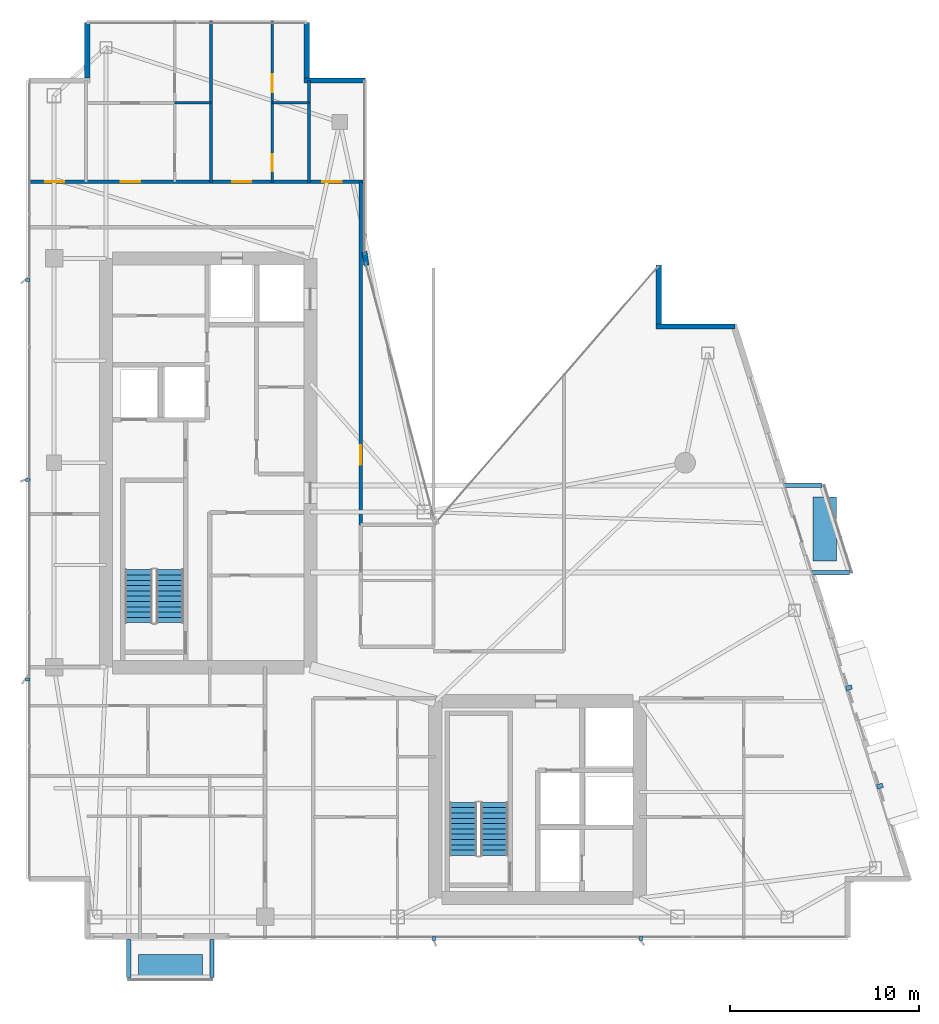
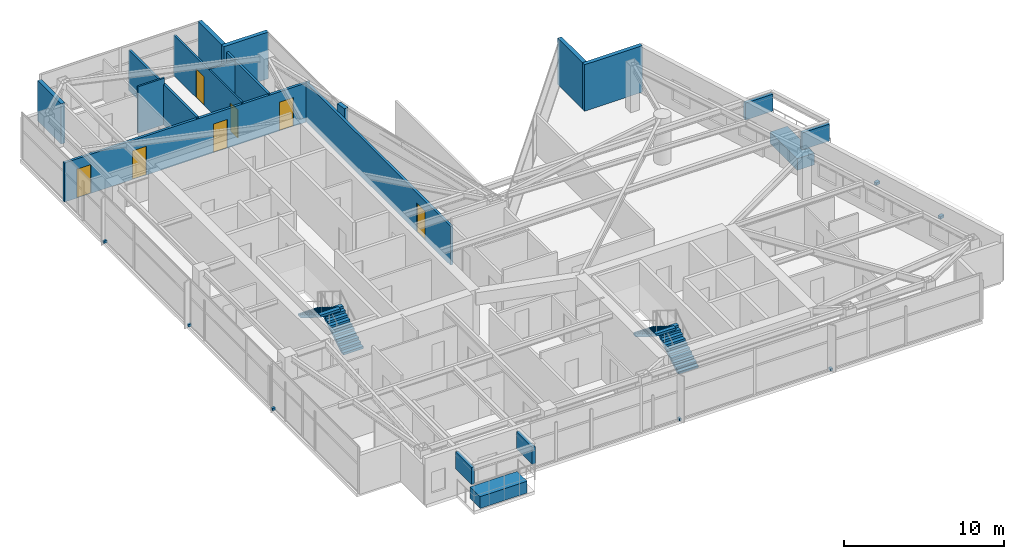
# One storey, part 27 of 29: 13 discrete accessories, 13 walls, 7 doors, 4 stair flights, 7 openings, 2 elements without a shape of their own.
"""IFC4 building model written with IfcOpenShell, lengths in metres."""

from ifc_helpers import new_model, si_unit, direction, frame, frame_2d, origin, origin_2d, place, context, subcontext, project, spatial, polyline, rectangle, outline, extrude, material, layer, layer_set, type_object, element, fill, aggregate, save


model = new_model("IFC4")

# Units and contexts
model_context = context("Model", 3, precision=1e-05, world=origin(), true_north=direction((0.0, 1.0)))
body_context = subcontext(model_context, "Body", "Model", "MODEL_VIEW")
ifc_project = project(units=[si_unit("LENGTHUNIT", "METRE"), si_unit("AREAUNIT", "SQUARE_METRE"), si_unit("VOLUMEUNIT", "CUBIC_METRE"), si_unit("PLANEANGLEUNIT", "RADIAN"), si_unit("MASSUNIT", "GRAM", prefix="KILO")], contexts=[model_context])

# Site, building, storey
site_placement = place(None, origin())
site = spatial("IfcSite", under=ifc_project, at=site_placement, CompositionType="ELEMENT")
building_placement = place(site_placement, origin())
building = spatial("IfcBuilding", under=site, at=building_placement, Name="Calvorn Quay Hotel", CompositionType="ELEMENT")
storey_placement = place(building_placement, frame((0.0, 0.0, 255.199951171875)))
storey = spatial("IfcBuildingStorey", under=building, at=storey_placement, Name="L63", CompositionType="ELEMENT", Elevation=255.199951171875)

# Wall, openings, doors
ifc_material_1 = material(Name="Acoustic Fireboard Steel-Stud Partition", Category="steel")
ifc_layer_1 = layer(ifc_material_1, 0.179931640625)
ifc_layer_set_1 = layer_set([ifc_layer_1], Name="WL-CORR-FIRE-180")
wall_type_1 = type_object("IfcWallType", Name="WL-CORR-FIRE-180", PredefinedType="PARTITIONING", material=ifc_layer_set_1)
wall_1_placement = place(storey_placement, frame((0.080078125, 42.449951171875, 0.0), z_axis=(0.0, 0.0, 1.0), x_axis=(1.0, 0.0, 0.0)))
wall_1 = element("IfcWall", 1, at=wall_1_placement, inside=storey, type_object=wall_type_1, Name="Partition Wall L63-WL-CORR-NW-N", PredefinedType="PARTITIONING", context=body_context, shape_type="SweptSolid", body=[
    extrude(rectangle(XDim=17.77001953125, YDim=0.179931640625, at=frame_2d((8.885009765625, 0.0))), origin(), (0.0, 0.0, 1.0), 2.989990234375),
])
opening_1_placement = place(wall_1_placement, frame((0.89990234375, 0.0, 0.0)))
opening_1 = element("IfcOpeningElement", 2, at=opening_1_placement, cuts=wall_1, Name="Opening D-L63-NWW", PredefinedType="OPENING", context=body_context, shape_type="SweptSolid", body=[
    extrude(rectangle(XDim=1.02001953125, YDim=2.199951171875, at=frame_2d((0.510009765625, 1.10009765625))), frame((0.0, 0.099853515625, 0.0), z_axis=(0.0, -1.0, 0.0), x_axis=(1.0, 0.0, 0.0)), (0.0, 0.0, 1.0), 0.199951171875),
])
opening_2_placement = place(wall_1_placement, frame((4.89990234375, 0.0, 0.0)))
opening_2 = element("IfcOpeningElement", 3, at=opening_2_placement, cuts=wall_1, Name="Opening D-L63-U04", PredefinedType="OPENING", context=body_context, shape_type="SweptSolid", body=[
    extrude(rectangle(XDim=1.02001953125, YDim=2.199951171875, at=frame_2d((0.510009765625, 1.10009765625))), frame((0.0, 0.099853515625, 0.0), z_axis=(0.0, -1.0, 0.0), x_axis=(1.0, 0.0, 0.0)), (0.0, 0.0, 1.0), 0.199951171875),
])
opening_3_placement = place(wall_1_placement, frame((10.780029296875, 0.0, 0.0)))
opening_3 = element("IfcOpeningElement", 4, at=opening_3_placement, cuts=wall_1, Name="Opening D-L63-U05", PredefinedType="OPENING", context=body_context, shape_type="SweptSolid", body=[
    extrude(rectangle(XDim=1.02001953125, YDim=2.199951171875, at=frame_2d((0.510009765625, 1.10009765625))), frame((0.0, 0.099853515625, 0.0), z_axis=(0.0, -1.0, 0.0), x_axis=(1.0, 0.0, 0.0)), (0.0, 0.0, 1.0), 0.199951171875),
])
opening_4_placement = place(wall_1_placement, frame((15.550048828125, 0.0, 0.0)))
opening_4 = element("IfcOpeningElement", 5, at=opening_4_placement, cuts=wall_1, Name="Opening D-L63-NWE", PredefinedType="OPENING", context=body_context, shape_type="SweptSolid", body=[
    extrude(rectangle(XDim=1.02001953125, YDim=2.199951171875, at=frame_2d((0.510009765625, 1.10009765625))), frame((0.0, 0.099853515625, 0.0), z_axis=(0.0, -1.0, 0.0), x_axis=(1.0, 0.0, 0.0)), (0.0, 0.0, 1.0), 0.199951171875),
])
ifc_material_2 = material(Name="Solid-Core Walnut Veneer Hotel Fire Door")
door_type_1 = type_object("IfcDoorType", Name="DR-GUEST-ENTRY-1020", OperationType="NOTDEFINED", PredefinedType="DOOR", material=ifc_material_2)
door_1_placement = place(opening_1_placement, origin())
door_1 = element("IfcDoor", 6, at=door_1_placement, inside=storey, type_object=door_type_1, Name="West Corner Study Door (L63)", OperationType="SINGLE_SWING_LEFT", OverallHeight=2.199951171875, OverallWidth=1.02001953125, PredefinedType="DOOR", context=body_context, shape_type="SweptSolid", body=[
    extrude(rectangle(XDim=1.02001953125, YDim=2.199951171875, at=frame_2d((0.510009765625, 1.10009765625))), frame((0.0, 0.02490234375, 0.0), z_axis=(0.0, -1.0, 0.0), x_axis=(1.0, 0.0, 0.0)), (0.0, 0.0, 1.0), 0.050048828125),
])
fill(opening_1, door_1)
door_2_placement = place(opening_2_placement, origin())
door_2 = element("IfcDoor", 7, at=door_2_placement, inside=storey, type_object=door_type_1, Name="North-West Unit Door U04 (L63)", OperationType="SINGLE_SWING_RIGHT", OverallHeight=2.199951171875, OverallWidth=1.02001953125, PredefinedType="DOOR", context=body_context, shape_type="SweptSolid", body=[
    extrude(rectangle(XDim=1.02001953125, YDim=2.199951171875, at=frame_2d((0.510009765625, 1.10009765625))), frame((0.0, 0.02490234375, 0.0), z_axis=(0.0, -1.0, 0.0), x_axis=(1.0, 0.0, 0.0)), (0.0, 0.0, 1.0), 0.050048828125),
])
fill(opening_2, door_2)
door_3_placement = place(opening_3_placement, origin())
door_3 = element("IfcDoor", 8, at=door_3_placement, inside=storey, type_object=door_type_1, Name="North-West Unit Door U05 (L63)", OperationType="SINGLE_SWING_LEFT", OverallHeight=2.199951171875, OverallWidth=1.02001953125, PredefinedType="DOOR", context=body_context, shape_type="SweptSolid", body=[
    extrude(rectangle(XDim=1.02001953125, YDim=2.199951171875, at=frame_2d((0.510009765625, 1.10009765625))), frame((0.0, 0.02490234375, 0.0), z_axis=(0.0, -1.0, 0.0), x_axis=(1.0, 0.0, 0.0)), (0.0, 0.0, 1.0), 0.050048828125),
])
fill(opening_3, door_3)
door_4_placement = place(opening_4_placement, origin())
door_4 = element("IfcDoor", 9, at=door_4_placement, inside=storey, type_object=door_type_1, Name="Inner Court Study Door (L63)", OperationType="SINGLE_SWING_RIGHT", OverallHeight=2.199951171875, OverallWidth=1.02001953125, PredefinedType="DOOR", context=body_context, shape_type="SweptSolid", body=[
    extrude(rectangle(XDim=1.02001953125, YDim=2.199951171875, at=frame_2d((0.510009765625, 1.10009765625))), frame((0.0, 0.02490234375, 0.0), z_axis=(0.0, -1.0, 0.0), x_axis=(1.0, 0.0, 0.0)), (0.0, 0.0, 1.0), 0.050048828125),
])
fill(opening_4, door_4)

# Wall, opening, door
wall_2_placement = place(storey_placement, frame((17.64990234375, 24.300048828125, 0.0), z_axis=(0.0, 0.0, 1.0), x_axis=(0.0, 1.0, 0.0)))
wall_2 = element("IfcWall", 10, at=wall_2_placement, inside=storey, type_object=wall_type_1, Name="Partition Wall L63-WL-NW-CLOSURE-E", PredefinedType="PARTITIONING", context=body_context, shape_type="SweptSolid", body=[
    extrude(rectangle(XDim=18.14990234375, YDim=0.179931640625, at=frame_2d((9.074951171875, 0.0))), origin(), (0.0, 0.0, 1.0), 2.989990234375),
])
opening_5_placement = place(wall_2_placement, frame((3.199951171875, 0.0, 0.0)))
opening_5 = element("IfcOpeningElement", 11, at=opening_5_placement, cuts=wall_2, Name="Opening D-L63-NCU", PredefinedType="OPENING", context=body_context, shape_type="SweptSolid", body=[
    extrude(rectangle(XDim=1.02001953125, YDim=2.199951171875, at=frame_2d((0.510009765625, 1.10009765625))), frame((0.0, 0.099853515625, 0.0), z_axis=(0.0, -1.0, 0.0), x_axis=(1.0, 0.0, 0.0)), (0.0, 0.0, 1.0), 0.199951171875),
])
door_5_placement = place(opening_5_placement, origin())
door_5 = element("IfcDoor", 12, at=door_5_placement, inside=storey, type_object=door_type_1, Name="Inner Court Horizon Study Door (L63)", OperationType="SINGLE_SWING_RIGHT", OverallHeight=2.199951171875, OverallWidth=1.02001953125, PredefinedType="DOOR", context=body_context, shape_type="SweptSolid", body=[
    extrude(rectangle(XDim=1.02001953125, YDim=2.199951171875, at=frame_2d((0.510009765625, 1.10009765625))), frame((0.0, 0.02490234375, 0.0), z_axis=(0.0, -1.0, 0.0), x_axis=(1.0, 0.0, 0.0)), (0.0, 0.0, 1.0), 0.050048828125),
])
fill(opening_5, door_5)

# Walls
ifc_material_3 = material(Name="Moisture-Resistant Tile-Backed Partition")
ifc_layer_2 = layer(ifc_material_3, 0.125)
ifc_layer_set_2 = layer_set([ifc_layer_2], Name="WL-ENSUITE-125")
wall_type_2 = type_object("IfcWallType", Name="WL-ENSUITE-125", PredefinedType="PARTITIONING", material=ifc_layer_set_2)
wall_3_placement = place(storey_placement, frame((7.820068359375, 46.6201171875, 0.0), z_axis=(0.0, 0.0, 1.0), x_axis=(1.0, 0.0, 0.0)))
element("IfcWall", 13, at=wall_3_placement, inside=storey, type_object=wall_type_2, Name="Partition Wall L63-WL-U04-BDV", PredefinedType="PARTITIONING", context=body_context, shape_type="SweptSolid", body=[
    extrude(rectangle(XDim=1.929931640625, YDim=0.125, at=frame_2d((0.96484375, 0.0))), origin(), (0.0, 0.0, 1.0), 3.56005859375),
])
wall_4_placement = place(storey_placement, frame((12.989990234375, 46.6201171875, 0.0), z_axis=(0.0, 0.0, 1.0), x_axis=(1.0, 0.0, 0.0)))
element("IfcWall", 14, at=wall_4_placement, inside=storey, type_object=wall_type_2, Name="Partition Wall L63-WL-U05-BDV", PredefinedType="PARTITIONING", context=body_context, shape_type="SweptSolid", body=[
    extrude(rectangle(XDim=1.929931640625, YDim=0.125, at=frame_2d((0.96484375, 0.0))), origin(), (0.0, 0.0, 1.0), 3.090087890625),
])

# Wall, openings, doors
wall_5_placement = place(storey_placement, frame((12.989990234375, 42.449951171875, 0.0), z_axis=(0.0, 0.0, 1.0), x_axis=(0.0, 1.0, 0.0)))
wall_5 = element("IfcWall", 15, at=wall_5_placement, inside=storey, type_object=wall_type_2, Name="Partition Wall L63-WL-U05-BV", PredefinedType="PARTITIONING", context=body_context, shape_type="SweptSolid", body=[
    extrude(rectangle(XDim=8.489990234375, YDim=0.125, at=frame_2d((4.2451171875, 0.0))), origin(), (0.0, 0.0, 1.0), 3.090087890625),
])
opening_6_placement = place(wall_5_placement, frame((0.550048828125, 0.0, 0.0)))
opening_6 = element("IfcOpeningElement", 16, at=opening_6_placement, cuts=wall_5, Name="Opening D-L63-E05", PredefinedType="OPENING", context=body_context, shape_type="SweptSolid", body=[
    extrude(rectangle(XDim=0.89990234375, YDim=2.14990234375, at=frame_2d((0.449951171875, 1.074951171875))), frame((0.0, 0.072509765625, 0.0), z_axis=(0.0, -1.0, 0.0), x_axis=(1.0, 0.0, 0.0)), (0.0, 0.0, 1.0), 0.14501953125),
])
opening_7_placement = place(wall_5_placement, frame((4.719970703125, 0.0, 0.0)))
opening_7 = element("IfcOpeningElement", 17, at=opening_7_placement, cuts=wall_5, Name="Opening D-L63-S05", PredefinedType="OPENING", context=body_context, shape_type="SweptSolid", body=[
    extrude(rectangle(XDim=0.9599609375, YDim=2.199951171875, at=frame_2d((0.47998046875, 1.10009765625))), frame((0.0, 0.072509765625, 0.0), z_axis=(0.0, -1.0, 0.0), x_axis=(1.0, 0.0, 0.0)), (0.0, 0.0, 1.0), 0.14501953125),
])
ifc_material_4 = material(Name="Moisture-Sealed Timber En-Suite Door", Category="wood")
door_type_2 = type_object("IfcDoorType", Name="DR-ENSUITE-900", OperationType="NOTDEFINED", PredefinedType="DOOR", material=ifc_material_4)
door_6_placement = place(opening_6_placement, origin())
door_6 = element("IfcDoor", 18, at=door_6_placement, inside=storey, type_object=door_type_2, Name="En-Suite Door 05", OperationType="SINGLE_SWING_LEFT", OverallHeight=2.14990234375, OverallWidth=0.89990234375, PredefinedType="DOOR", context=body_context, shape_type="SweptSolid", body=[
    extrude(rectangle(XDim=0.89990234375, YDim=2.14990234375, at=frame_2d((0.449951171875, 1.074951171875))), frame((0.0, 0.02490234375, 0.0), z_axis=(0.0, -1.0, 0.0), x_axis=(1.0, 0.0, 0.0)), (0.0, 0.0, 1.0), 0.050048828125),
])
fill(opening_6, door_6)
ifc_material_5 = material(Name="Solid Timber Internal Suite Door", Category="wood")
door_type_3 = type_object("IfcDoorType", Name="DR-SUITE-INT-960", OperationType="NOTDEFINED", PredefinedType="DOOR", material=ifc_material_5)
door_7_placement = place(opening_7_placement, origin())
door_7 = element("IfcDoor", 19, at=door_7_placement, inside=storey, type_object=door_type_3, Name="Children Play Nursery Door 05", OperationType="SINGLE_SWING_RIGHT", OverallHeight=2.199951171875, OverallWidth=0.9599609375, PredefinedType="DOOR", context=body_context, shape_type="SweptSolid", body=[
    extrude(rectangle(XDim=0.9599609375, YDim=2.199951171875, at=frame_2d((0.47998046875, 1.10009765625))), frame((0.0, 0.02490234375, 0.0), z_axis=(0.0, -1.0, 0.0), x_axis=(1.0, 0.0, 0.0)), (0.0, 0.0, 1.0), 0.050048828125),
])
fill(opening_7, door_7)

# Walls
ifc_material_6 = material(Name="Concrete C40", Category="concrete")
ifc_layer_3 = layer(ifc_material_6, 0.320068359375)
ifc_layer_set_3 = layer_set([ifc_layer_3], Name="WL-EXT-SPANDREL-320")
wall_type_3 = type_object("IfcWallType", Name="WL-EXT-SPANDREL-320", PredefinedType="SOLIDWALL", material=ifc_layer_set_3)
wall_6_placement = place(storey_placement, frame((17.9619140625, 38.030029296875, 0.0), z_axis=(0.0, 0.0, 1.0), x_axis=(-0.15141125477, 0.988470855377, 0.0)))
element("IfcWall", 20, at=wall_6_placement, inside=storey, type_object=wall_type_3, Name="Inner Court Corner Pier L63-ICJ2", PredefinedType="SOLIDWALL", context=body_context, shape_type="SweptSolid", body=[
    extrude(rectangle(XDim=0.738525390625, YDim=0.280029296875, at=frame_2d((0.369140625, 0.0))), origin(), (0.0, 0.0, 1.0), 3.56005859375),
])
wall_7_placement = place(storey_placement, frame((37.43994140625, 34.800048828125, 0.0), z_axis=(0.0, 0.0, 1.0), x_axis=(-1.0, 0.0, 0.0)))
element("IfcWall", 21, at=wall_7_placement, inside=storey, type_object=wall_type_3, Name="Notched Corner Spandrel L63-NE1", PredefinedType="SOLIDWALL", context=body_context, shape_type="SweptSolid", body=[
    extrude(rectangle(XDim=4.179931640625, YDim=0.280029296875, at=frame_2d((2.08984375, 0.0))), origin(), (0.0, 0.0, 1.0), 3.56005859375),
])
wall_8_placement = place(storey_placement, frame((33.39990234375, 34.93994140625, 0.0), z_axis=(0.0, 0.0, 1.0), x_axis=(0.0, 1.0, 0.0)))
element("IfcWall", 22, at=wall_8_placement, inside=storey, type_object=wall_type_3, Name="Notched Corner Spandrel L63-NE2", PredefinedType="SOLIDWALL", context=body_context, shape_type="SweptSolid", body=[
    extrude(rectangle(XDim=3.10009765625, YDim=0.280029296875, at=frame_2d((1.550048828125, 0.0))), origin(), (0.0, 0.0, 1.0), 3.56005859375),
])
wall_9_placement = place(storey_placement, frame((17.89990234375, 47.800048828125, 0.0), z_axis=(0.0, 0.0, 1.0), x_axis=(-1.0, 0.0, 0.0)))
element("IfcWall", 23, at=wall_9_placement, inside=storey, type_object=wall_type_3, Name="Notched Corner Spandrel L63-NWE1", PredefinedType="SOLIDWALL", context=body_context, shape_type="SweptSolid", body=[
    extrude(rectangle(XDim=3.239990234375, YDim=0.280029296875, at=frame_2d((1.6201171875, 0.0))), origin(), (0.0, 0.0, 1.0), 3.56005859375),
])
wall_10_placement = place(storey_placement, frame((14.800048828125, 47.93994140625, 0.0), z_axis=(0.0, 0.0, 1.0), x_axis=(0.0, 1.0, 0.0)))
element("IfcWall", 24, at=wall_10_placement, inside=storey, type_object=wall_type_3, Name="Notched Corner Spandrel L63-NWE2", PredefinedType="SOLIDWALL", context=body_context, shape_type="SweptSolid", body=[
    extrude(rectangle(XDim=2.93994140625, YDim=0.280029296875, at=frame_2d((1.469970703125, 0.0))), origin(), (0.0, 0.0, 1.0), 3.56005859375),
])
wall_11_placement = place(storey_placement, frame((3.199951171875, 50.8798828125, 0.0), z_axis=(0.0, 0.0, 1.0), x_axis=(0.0, -1.0, 0.0)))
element("IfcWall", 25, at=wall_11_placement, inside=storey, type_object=wall_type_3, Name="Notched Corner Spandrel L63-NW1", PredefinedType="SOLIDWALL", context=body_context, shape_type="SweptSolid", body=[
    extrude(rectangle(XDim=2.93994140625, YDim=0.280029296875, at=frame_2d((1.469970703125, 0.0))), origin(), (0.0, 0.0, 1.0), 3.090087890625),
])
ifc_material_7 = material(Name="Double-Stud Acoustic Gypsum Partition")
ifc_layer_4 = layer(ifc_material_7, 0.159912109375)
ifc_layer_set_4 = layer_set([ifc_layer_4], Name="WL-INTERSUITE-160")
wall_type_4 = type_object("IfcWallType", Name="WL-INTERSUITE-160", PredefinedType="PARTITIONING", material=ifc_layer_set_4)
wall_12_placement = place(storey_placement, frame((14.919921875, 42.449951171875, 0.0), z_axis=(0.0, 0.0, 1.0), x_axis=(0.0, 1.0, 0.0)))
element("IfcWall", 26, at=wall_12_placement, inside=storey, type_object=wall_type_4, Name="Partition Wall L63-WL-NW-DIV-E0", PredefinedType="PARTITIONING", context=body_context, shape_type="SweptSolid", body=[
    extrude(rectangle(XDim=5.35009765625, YDim=0.159912109375, at=frame_2d((2.675048828125, 0.0))), origin(), (0.0, 0.0, 1.0), 3.090087890625),
])
wall_13_placement = place(storey_placement, frame((9.75, 42.449951171875, 0.0), z_axis=(0.0, 0.0, 1.0), x_axis=(0.0, 1.0, 0.0)))
element("IfcWall", 27, at=wall_13_placement, inside=storey, type_object=wall_type_4, Name="Partition Wall L63-WL-NW-DIV-1", PredefinedType="PARTITIONING", context=body_context, shape_type="SweptSolid", body=[
    extrude(rectangle(XDim=8.489990234375, YDim=0.159912109375, at=frame_2d((4.2451171875, 0.0))), origin(), (0.0, 0.0, 1.0), 3.090087890625),
])

# Stair, stair flights
ifc_material_8 = material(Name="Concrete C40", Category="concrete")
stair_type = type_object("IfcStairType", Name="STR-CORE-DOGLEG", PredefinedType="HALF_TURN_STAIR", material=ifc_material_8)
stair_1_placement = place(storey_placement, origin())
stair_1 = element("IfcStair", 28, at=stair_1_placement, inside=storey, type_object=stair_type, Name="L63 ST-W", PredefinedType="HALF_TURN_STAIR")
ifc_material_9 = material(Name="Concrete C40", Category="concrete")
stair_flight_type = type_object("IfcStairFlightType", Name="FLT-CORE-1550", PredefinedType="STRAIGHT", material=ifc_material_9)
stair_flight_1_placement = place(storey_placement, frame((7.574951171875, 19.14990234375, 0.0), z_axis=(0.0, 0.0, 1.0), x_axis=(0.0, 1.0, 0.0)))
stair_flight_1 = element("IfcStairFlight", 29, at=stair_flight_1_placement, type_object=stair_flight_type, Name="ST-W flight 1", NumberOfRisers=11, NumberOfTreads=10, PredefinedType="STRAIGHT", RiserHeight=0.172727273, TreadLength=0.28, context=body_context, shape_type="SweptSolid", body=[
    extrude(outline(polyline([(0.0, 0.0), (0.0, 0.172607421875), (0.280029296875, 0.172607421875), (0.280029296875, 0.345458984375), (0.56005859375, 0.345458984375), (0.56005859375, 0.51806640625), (0.840087890625, 0.51806640625), (0.840087890625, 0.69091796875), (1.1201171875, 0.69091796875), (1.1201171875, 0.863525390625), (1.39990234375, 0.863525390625), (1.39990234375, 1.036376953125), (1.679931640625, 1.036376953125), (1.679931640625, 1.208984375), (1.9599609375, 1.208984375), (1.9599609375, 1.3818359375), (2.239990234375, 1.3818359375), (2.239990234375, 1.554443359375), (2.52001953125, 1.554443359375), (2.52001953125, 1.727294921875), (2.800048828125, 1.727294921875), (2.800048828125, 1.89990234375), (2.800048828125, 1.551025390625), (0.285400390625, 0.0), (0.0, 0.0)])), frame((0.0, 0.72509765625, 0.0), z_axis=(0.0, -1.0, 0.0), x_axis=(1.0, 0.0, 0.0)), (0.0, 0.0, 1.0), 1.449951171875),
])
stair_flight_2_placement = place(storey_placement, frame((5.925048828125, 21.949951171875, 1.900146484375), z_axis=(0.0, 0.0, 1.0), x_axis=(0.0, -1.0, 0.0)))
stair_flight_2 = element("IfcStairFlight", 30, at=stair_flight_2_placement, type_object=stair_flight_type, Name="ST-W flight 2", NumberOfRisers=11, NumberOfTreads=10, PredefinedType="STRAIGHT", RiserHeight=0.172727273, TreadLength=0.28, context=body_context, shape_type="SweptSolid", body=[
    extrude(outline(polyline([(0.0, 0.0), (0.0, 0.172607421875), (0.280029296875, 0.172607421875), (0.280029296875, 0.345458984375), (0.56005859375, 0.345458984375), (0.56005859375, 0.51806640625), (0.840087890625, 0.51806640625), (0.840087890625, 0.69091796875), (1.1201171875, 0.69091796875), (1.1201171875, 0.863525390625), (1.39990234375, 0.863525390625), (1.39990234375, 1.036376953125), (1.679931640625, 1.036376953125), (1.679931640625, 1.208984375), (1.9599609375, 1.208984375), (1.9599609375, 1.3818359375), (2.239990234375, 1.3818359375), (2.239990234375, 1.554443359375), (2.52001953125, 1.554443359375), (2.52001953125, 1.727294921875), (2.800048828125, 1.727294921875), (2.800048828125, 1.89990234375), (2.800048828125, 1.551025390625), (0.285400390625, 0.0), (0.0, 0.0)])), frame((0.0, 0.72509765625, 0.0), z_axis=(0.0, -1.0, 0.0), x_axis=(1.0, 0.0, 0.0)), (0.0, 0.0, 1.0), 1.449951171875),
])
aggregate(stair_1, [stair_flight_1, stair_flight_2])

stair_2_placement = place(storey_placement, origin())
stair_2 = element("IfcStair", 31, at=stair_2_placement, inside=storey, type_object=stair_type, Name="L63 ST-E", PredefinedType="HALF_TURN_STAIR")
stair_flight_3_placement = place(storey_placement, frame((24.72509765625, 6.85009765625, 0.0), z_axis=(0.0, 0.0, 1.0), x_axis=(0.0, 1.0, 0.0)))
stair_flight_3 = element("IfcStairFlight", 32, at=stair_flight_3_placement, type_object=stair_flight_type, Name="ST-E flight 1", NumberOfRisers=11, NumberOfTreads=10, PredefinedType="STRAIGHT", RiserHeight=0.172727273, TreadLength=0.28, context=body_context, shape_type="SweptSolid", body=[
    extrude(outline(polyline([(0.0, 0.0), (0.0, 0.172607421875), (0.280029296875, 0.172607421875), (0.280029296875, 0.345458984375), (0.56005859375, 0.345458984375), (0.56005859375, 0.51806640625), (0.840087890625, 0.51806640625), (0.840087890625, 0.69091796875), (1.1201171875, 0.69091796875), (1.1201171875, 0.863525390625), (1.39990234375, 0.863525390625), (1.39990234375, 1.036376953125), (1.679931640625, 1.036376953125), (1.679931640625, 1.208984375), (1.9599609375, 1.208984375), (1.9599609375, 1.3818359375), (2.239990234375, 1.3818359375), (2.239990234375, 1.554443359375), (2.52001953125, 1.554443359375), (2.52001953125, 1.727294921875), (2.800048828125, 1.727294921875), (2.800048828125, 1.89990234375), (2.800048828125, 1.551025390625), (0.285400390625, 0.0), (0.0, 0.0)])), frame((0.0, 0.72509765625, 0.0), z_axis=(0.0, -1.0, 0.0), x_axis=(1.0, 0.0, 0.0)), (0.0, 0.0, 1.0), 1.449951171875),
])
stair_flight_4_placement = place(storey_placement, frame((23.074951171875, 9.64990234375, 1.900146484375), z_axis=(0.0, 0.0, 1.0), x_axis=(0.0, -1.0, 0.0)))
stair_flight_4 = element("IfcStairFlight", 33, at=stair_flight_4_placement, type_object=stair_flight_type, Name="ST-E flight 2", NumberOfRisers=11, NumberOfTreads=10, PredefinedType="STRAIGHT", RiserHeight=0.172727273, TreadLength=0.28, context=body_context, shape_type="SweptSolid", body=[
    extrude(outline(polyline([(0.0, 0.0), (0.0, 0.172607421875), (0.280029296875, 0.172607421875), (0.280029296875, 0.345458984375), (0.56005859375, 0.345458984375), (0.56005859375, 0.51806640625), (0.840087890625, 0.51806640625), (0.840087890625, 0.69091796875), (1.1201171875, 0.69091796875), (1.1201171875, 0.863525390625), (1.39990234375, 0.863525390625), (1.39990234375, 1.036376953125), (1.679931640625, 1.036376953125), (1.679931640625, 1.208984375), (1.9599609375, 1.208984375), (1.9599609375, 1.3818359375), (2.239990234375, 1.3818359375), (2.239990234375, 1.554443359375), (2.52001953125, 1.554443359375), (2.52001953125, 1.727294921875), (2.800048828125, 1.727294921875), (2.800048828125, 1.89990234375), (2.800048828125, 1.551025390625), (0.285400390625, 0.0), (0.0, 0.0)])), frame((0.0, 0.72509765625, 0.0), z_axis=(0.0, -1.0, 0.0), x_axis=(1.0, 0.0, 0.0)), (0.0, 0.0, 1.0), 1.449951171875),
])
aggregate(stair_2, [stair_flight_3, stair_flight_4])

# Discrete accessories
ifc_material_10 = material(Name="Steel Q355B", Category="steel")
discrete_accessory_type_1 = type_object("IfcDiscreteAccessoryType", Name="ACC-BALC-STRUT", PredefinedType="BRACKET", material=ifc_material_10)
for number, where, z_axis, x_axis, name in (
    (34, (42.490966796875, 21.800048828125, 2.01513671875), (0.0, 0.0, 1.0), (1.0, 0.0, 0.0), "Exterior Balcony Steel Bracket L64-BALC-E-A"),
    (35, (41.0419921875, 26.39990234375, 2.01513671875), (0.0, 0.0, 1.0), (1.0, 0.0, 0.0), "Exterior Balcony Steel Bracket L64-BALC-E-B"),
):
    element("IfcDiscreteAccessory", number, at=place(storey_placement, frame(where, z_axis=z_axis, x_axis=x_axis)), inside=storey, type_object=discrete_accessory_type_1, Name=name, PredefinedType="BRACKET", context=body_context, shape_type="SweptSolid", body=[
        extrude(rectangle(XDim=1.989990234375, YDim=0.219970703125, at=origin_2d()), origin(), (0.0, 0.0, 1.0), 1.300048828125),
    ])
for number, where, z_axis, x_axis, name in (
    (36, (5.39990234375, 1.405029296875, 2.01513671875), (0.0, 0.0, 1.0), (1.0, 0.0, 0.0), "Exterior Balcony Steel Bracket L64-BALC-S-A"),
    (37, (9.800048828125, 1.405029296875, 2.01513671875), (0.0, 0.0, 1.0), (1.0, 0.0, 0.0), "Exterior Balcony Steel Bracket L64-BALC-S-B"),
):
    element("IfcDiscreteAccessory", number, at=place(storey_placement, frame(where, z_axis=z_axis, x_axis=x_axis)), inside=storey, type_object=discrete_accessory_type_1, Name=name, PredefinedType="BRACKET", context=body_context, shape_type="SweptSolid", body=[
        extrude(rectangle(XDim=0.219970703125, YDim=1.989990234375, at=origin_2d()), origin(), (0.0, 0.0, 1.0), 1.300048828125),
    ])
ifc_material_11 = material(Name="Steel Q355B", Category="steel")
discrete_accessory_type_2 = type_object("IfcDiscreteAccessoryType", Name="ACC-FIN-BRACKET", PredefinedType="BRACKET", material=ifc_material_11)
for number, where, z_axis, x_axis, name in (
    (38, (0.06005859375, 16.14990234375, 0.0302734375), (0.0, 0.0, 1.0), (1.0, 0.0, 0.0), "Fin Anchor Bracket L63-W01"),
    (39, (0.06005859375, 26.699951171875, 0.0302734375), (0.0, 0.0, 1.0), (1.0, 0.0, 0.0), "Fin Anchor Bracket L63-W02"),
    (40, (0.06005859375, 37.25, 0.0302734375), (0.0, 0.0, 1.0), (1.0, 0.0, 0.0), "Fin Anchor Bracket L63-W03"),
    (41, (21.532958984375, 2.4599609375, 0.0302734375), (0.0, 0.0, 1.0), (0.0, 1.0, 0.0), "Fin Anchor Bracket L63-S01"),
    (42, (32.467041015625, 2.4599609375, 0.0302734375), (0.0, 0.0, 1.0), (0.0, 1.0, 0.0), "Fin Anchor Bracket L63-S02"),
):
    element("IfcDiscreteAccessory", number, at=place(storey_placement, frame(where, z_axis=z_axis, x_axis=x_axis)), inside=storey, type_object=discrete_accessory_type_2, Name=name, PredefinedType="BRACKET", context=body_context, shape_type="SweptSolid", body=[
        extrude(rectangle(XDim=0.239990234375, YDim=0.159912109375, at=origin_2d()), origin(), (0.0, 0.0, 1.0), 0.179931640625),
    ])
for number, where, z_axis, x_axis, name in (
    (43, (45.094970703125, 10.511962890625, 2.3701171875), (0.0, 0.0, 1.0), (0.957319497532, 0.289031796944, 0.0), "Bay Hood Support Bracket L63-HOOD-1"),
    (44, (43.4560546875, 15.7119140625, 2.3701171875), (0.0, 0.0, 1.0), (0.957319497532, 0.289031796944, 0.0), "Bay Hood Support Bracket L63-HOOD-2"),
):
    element("IfcDiscreteAccessory", number, at=place(storey_placement, frame(where, z_axis=z_axis, x_axis=x_axis)), inside=storey, type_object=discrete_accessory_type_2, Name=name, PredefinedType="BRACKET", context=body_context, shape_type="SweptSolid", body=[
        extrude(rectangle(XDim=0.320068359375, YDim=0.239990234375, at=origin_2d()), origin(), (0.0, 0.0, 1.0), 0.199951171875),
    ])
ifc_material_12 = material(Name="Precast concrete C40", Category="concrete")
discrete_accessory_type_3 = type_object("IfcDiscreteAccessoryType", Name="ACC-TREE-PLANTER", PredefinedType="USERDEFINED", material=ifc_material_12)
discrete_accessory_1_placement = place(storey_placement, frame((42.180908203125, 24.10009765625, 0.0), z_axis=(0.0, 0.0, 1.0), x_axis=(1.0, 0.0, 0.0)))
element("IfcDiscreteAccessory", 45, at=discrete_accessory_1_placement, inside=storey, type_object=discrete_accessory_type_3, Name="Subtropical Tree Structural Planter L63-BALC-E", ObjectType="PLANTER", PredefinedType="USERDEFINED", context=body_context, shape_type="SweptSolid", body=[
    extrude(rectangle(XDim=1.25, YDim=3.39990234375, at=origin_2d()), origin(), (0.0, 0.0, 1.0), 0.89990234375),
])
discrete_accessory_2_placement = place(storey_placement, frame((7.60009765625, 0.989990234375, 0.0), z_axis=(0.0, 0.0, 1.0), x_axis=(1.0, 0.0, 0.0)))
element("IfcDiscreteAccessory", 46, at=discrete_accessory_2_placement, inside=storey, type_object=discrete_accessory_type_3, Name="Subtropical Tree Structural Planter L63-BALC-S", ObjectType="PLANTER", PredefinedType="USERDEFINED", context=body_context, shape_type="SweptSolid", body=[
    extrude(rectangle(XDim=3.39990234375, YDim=1.25, at=origin_2d()), origin(), (0.0, 0.0, 1.0), 0.89990234375),
])

save(model, "model.ifc")
